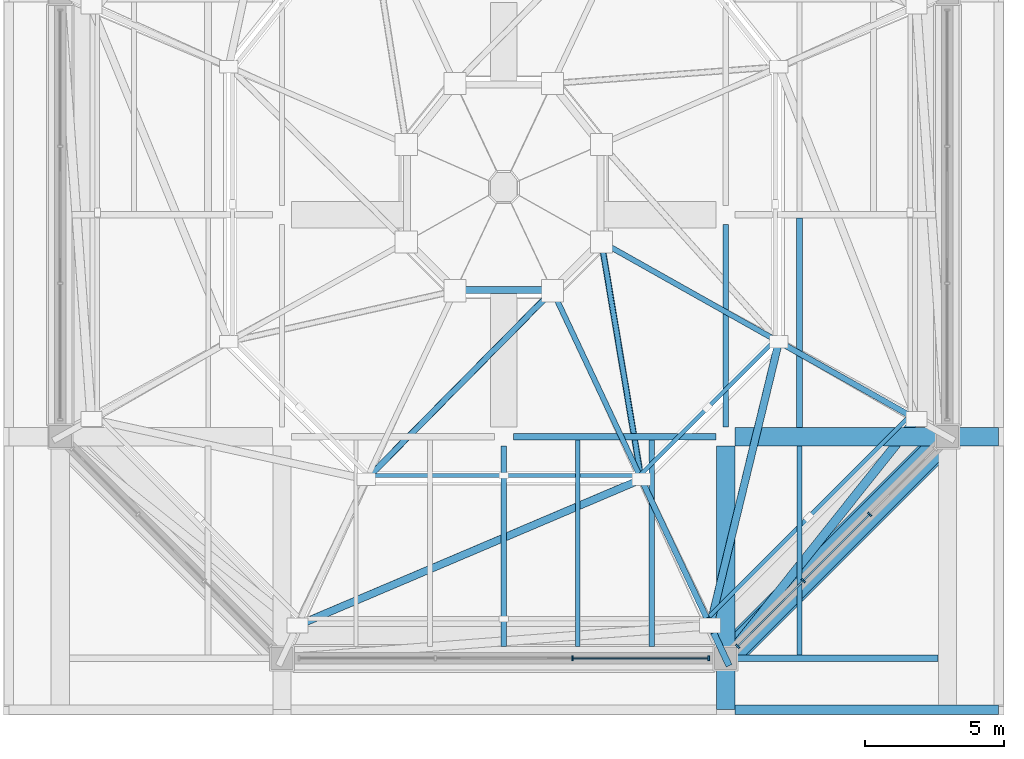
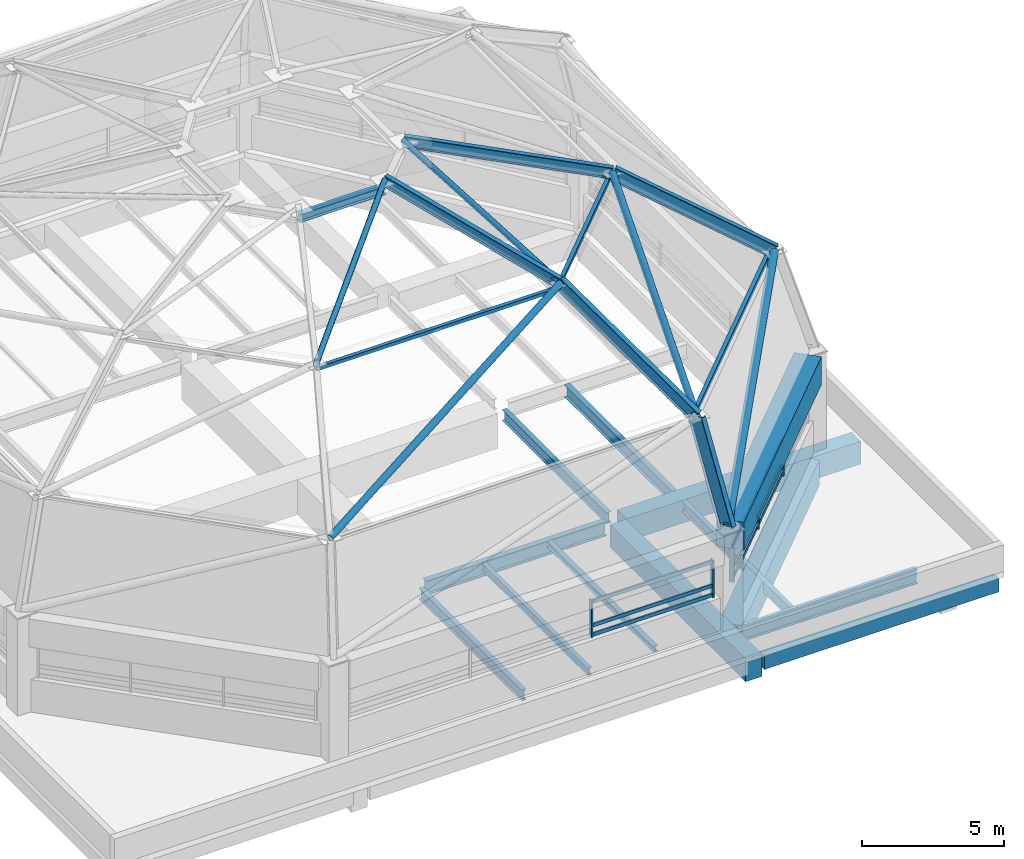
# One storey, part 3 of 10: 27 members, 14 beams, 2 elements without a shape of their own.
"""IFC4 building model written with IfcOpenShell, lengths in metres."""

from ifc_helpers import new_model, si_unit, direction, frame, origin, origin_2d, place, context, subcontext, project, spatial, rectangle, hollow_rectangle, hollow_circle, i_section, extrude, material, material_profile, profile_set, type_object, element, aggregate, save


model = new_model("IFC4")

# Units and contexts
model_context = context("Model", 3, precision=1e-05, world=origin(), true_north=direction((0.0, 1.0)))
body_context = subcontext(model_context, "Body", "Model", "MODEL_VIEW")
ifc_project = project(units=[si_unit("LENGTHUNIT", "METRE"), si_unit("AREAUNIT", "SQUARE_METRE"), si_unit("VOLUMEUNIT", "CUBIC_METRE"), si_unit("PLANEANGLEUNIT", "RADIAN"), si_unit("MASSUNIT", "GRAM", prefix="KILO")], contexts=[model_context])

# Site, building, storey
site_placement = place(None, origin())
site = spatial("IfcSite", under=ifc_project, at=site_placement, CompositionType="ELEMENT")
building_placement = place(site_placement, origin())
building = spatial("IfcBuilding", under=site, at=building_placement, Name="Pecanmere Concourse Central Library", CompositionType="ELEMENT")
storey_placement = place(building_placement, frame((0.0, 0.0, 34.800048828125)))
storey = spatial("IfcBuildingStorey", under=building, at=storey_placement, Name="ROOF", CompositionType="ELEMENT", Elevation=34.800048828125)

# Curtain wall, members
ifc_material_1 = material(Name="Anodized bronze aluminium alloy 6063-T6", Category="aluminium")
curtain_wall_type = type_object("IfcCurtainWallType", Name="CW_PORTAL_CLEAR", PredefinedType="USERDEFINED", material=ifc_material_1)
curtain_wall_1_placement = place(storey_placement, origin())
curtain_wall_1 = element("IfcCurtainWall", 1, at=curtain_wall_1_placement, inside=storey, type_object=curtain_wall_type, Name="Unitised Curtain Wall CW-03 ROOF-173", ObjectType="UNITISED CURTAIN WALL", PredefinedType="USERDEFINED")
ifc_material_2 = material(Name="Anodized bronze aluminium alloy 6063-T6", Category="aluminium")
ifc_material_profile_1 = material_profile(ifc_material_2, rectangle(XDim=0.06494140625, YDim=0.179931640625, at=origin_2d()), Name="AL 65x180")
ifc_profile_set_1 = profile_set([ifc_material_profile_1], Name="Anodized bronze aluminium alloy 6063-T6")
member_type_1 = type_object("IfcMemberType", Name="CWM_180x65", PredefinedType="MULLION", material=ifc_profile_set_1)
member_1_placement = place(storey_placement, frame((90.473388671875, 90.0, 1.419921875), z_axis=(0.0, 0.0, 1.0), x_axis=(1.0, 0.0, 0.0)))
member_1 = element("IfcMember", 2, at=member_1_placement, type_object=member_type_1, Name="CW-03 Mullion 3", PredefinedType="MULLION", context=body_context, shape_type="SweptSolid", body=[
    extrude(rectangle(XDim=0.06494140625, YDim=0.179931640625, at=origin_2d()), origin(), (0.0, 0.0, 1.0), 1.580078125),
])
member_2_placement = place(storey_placement, frame((95.387451171875, 90.0, 1.419921875), z_axis=(0.0, 0.0, 1.0), x_axis=(1.0, 0.0, 0.0)))
member_2 = element("IfcMember", 3, at=member_2_placement, type_object=member_type_1, Name="CW-03 Mullion 4", PredefinedType="MULLION", context=body_context, shape_type="SweptSolid", body=[
    extrude(rectangle(XDim=0.06494140625, YDim=0.179931640625, at=origin_2d()), origin(), (0.0, 0.0, 1.0), 1.580078125),
])

curtain_wall_2_placement = place(storey_placement, origin())
curtain_wall_2 = element("IfcCurtainWall", 4, at=curtain_wall_2_placement, inside=storey, type_object=curtain_wall_type, Name="Unitised Curtain Wall CW-03 ROOF-174", ObjectType="UNITISED CURTAIN WALL", PredefinedType="USERDEFINED")
member_3_placement = place(storey_placement, frame((96.43310546875, 90.43310546875, 1.419921875), z_axis=(0.0, 0.0, 1.0), x_axis=(0.707106781187, 0.707106781187, 0.0)))
member_3 = element("IfcMember", 5, at=member_3_placement, type_object=member_type_1, Name="CW-03 Mullion 1", PredefinedType="MULLION", context=body_context, shape_type="SweptSolid", body=[
    extrude(rectangle(XDim=0.06494140625, YDim=0.179931640625, at=origin_2d()), origin(), (0.0, 0.0, 1.0), 1.580078125),
])
member_4_placement = place(storey_placement, frame((98.803466796875, 92.803466796875, 1.419921875), z_axis=(0.0, 0.0, 1.0), x_axis=(0.707106781187, 0.707106781187, 0.0)))
member_4 = element("IfcMember", 6, at=member_4_placement, type_object=member_type_1, Name="CW-03 Mullion 2", PredefinedType="MULLION", context=body_context, shape_type="SweptSolid", body=[
    extrude(rectangle(XDim=0.06494140625, YDim=0.179931640625, at=origin_2d()), origin(), (0.0, 0.0, 1.0), 1.580078125),
])
member_5_placement = place(storey_placement, frame((101.196533203125, 95.196533203125, 1.419921875), z_axis=(0.0, 0.0, 1.0), x_axis=(0.707106781187, 0.707106781187, 0.0)))
member_5 = element("IfcMember", 7, at=member_5_placement, type_object=member_type_1, Name="CW-03 Mullion 3", PredefinedType="MULLION", context=body_context, shape_type="SweptSolid", body=[
    extrude(rectangle(XDim=0.06494140625, YDim=0.179931640625, at=origin_2d()), origin(), (0.0, 0.0, 1.0), 1.580078125),
])

# Member
ifc_material_3 = material(Name="Anodized bronze aluminium alloy 6063-T6", Category="aluminium")
ifc_material_profile_2 = material_profile(ifc_material_3, rectangle(XDim=0.06005859375, YDim=0.159912109375, at=origin_2d()), Name="AL 60x160")
ifc_profile_set_2 = profile_set([ifc_material_profile_2], Name="Anodized bronze aluminium alloy 6063-T6")
member_type_2 = type_object("IfcMemberType", Name="CWT_160x60", PredefinedType="USERDEFINED", material=ifc_profile_set_2)
member_6_placement = place(storey_placement, frame((90.505859375, 90.0, 1.5), z_axis=(1.0, 0.0, 0.0), x_axis=(0.0, 1.0, 0.0)))
member_6 = element("IfcMember", 8, at=member_6_placement, type_object=member_type_2, Name="CW-03 Transom 3.1", ObjectType="TRANSOM", PredefinedType="USERDEFINED", context=body_context, shape_type="SweptSolid", body=[
    extrude(rectangle(XDim=0.06005859375, YDim=0.159912109375, at=origin_2d()), origin(), (0.0, 0.0, 1.0), 4.84912109375),
])

member_7_placement = place(storey_placement, frame((90.505859375, 90.0, 1.89990234375), z_axis=(1.0, 0.0, 0.0), x_axis=(0.0, 1.0, 0.0)))
member_7 = element("IfcMember", 9, at=member_7_placement, type_object=member_type_2, Name="CW-03 Transom 3.2", ObjectType="TRANSOM", PredefinedType="USERDEFINED", context=body_context, shape_type="SweptSolid", body=[
    extrude(rectangle(XDim=0.06005859375, YDim=0.159912109375, at=origin_2d()), origin(), (0.0, 0.0, 1.0), 4.84912109375),
])

member_8_placement = place(storey_placement, frame((90.505859375, 90.0, 2.919921875), z_axis=(1.0, 0.0, 0.0), x_axis=(0.0, 1.0, 0.0)))
member_8 = element("IfcMember", 10, at=member_8_placement, type_object=member_type_2, Name="CW-03 Transom 3.3", ObjectType="TRANSOM", PredefinedType="USERDEFINED", context=body_context, shape_type="SweptSolid", body=[
    extrude(rectangle(XDim=0.06005859375, YDim=0.159912109375, at=origin_2d()), origin(), (0.0, 0.0, 1.0), 4.84912109375),
])

aggregate(curtain_wall_1, [member_1, member_2, member_6, member_7, member_8])

member_9_placement = place(storey_placement, frame((96.4560546875, 90.4560546875, 1.5), z_axis=(0.707106781187, 0.707106781187, 0.0), x_axis=(-0.707106781187, 0.707106781187, 0.0)))
member_9 = element("IfcMember", 11, at=member_9_placement, type_object=member_type_2, Name="CW-03 Transom 1.1", ObjectType="TRANSOM", PredefinedType="USERDEFINED", context=body_context, shape_type="SweptSolid", body=[
    extrude(rectangle(XDim=0.06005859375, YDim=0.159912109375, at=origin_2d()), origin(), (0.0, 0.0, 1.0), 3.286865234375),
])

member_10_placement = place(storey_placement, frame((96.4560546875, 90.4560546875, 1.89990234375), z_axis=(0.707106781187, 0.707106781187, 0.0), x_axis=(-0.707106781187, 0.707106781187, 0.0)))
member_10 = element("IfcMember", 12, at=member_10_placement, type_object=member_type_2, Name="CW-03 Transom 1.2", ObjectType="TRANSOM", PredefinedType="USERDEFINED", context=body_context, shape_type="SweptSolid", body=[
    extrude(rectangle(XDim=0.06005859375, YDim=0.159912109375, at=origin_2d()), origin(), (0.0, 0.0, 1.0), 3.286865234375),
])

member_11_placement = place(storey_placement, frame((96.4560546875, 90.4560546875, 2.919921875), z_axis=(0.707106781187, 0.707106781187, 0.0), x_axis=(-0.707106781187, 0.707106781187, 0.0)))
member_11 = element("IfcMember", 13, at=member_11_placement, type_object=member_type_2, Name="CW-03 Transom 1.3", ObjectType="TRANSOM", PredefinedType="USERDEFINED", context=body_context, shape_type="SweptSolid", body=[
    extrude(rectangle(XDim=0.06005859375, YDim=0.159912109375, at=origin_2d()), origin(), (0.0, 0.0, 1.0), 3.286865234375),
])

member_12_placement = place(storey_placement, frame((98.826416015625, 92.826416015625, 1.5), z_axis=(0.707106781187, 0.707106781187, 0.0), x_axis=(-0.707106781187, 0.707106781187, 0.0)))
member_12 = element("IfcMember", 14, at=member_12_placement, type_object=member_type_2, Name="CW-03 Transom 2.1", ObjectType="TRANSOM", PredefinedType="USERDEFINED", context=body_context, shape_type="SweptSolid", body=[
    extrude(rectangle(XDim=0.06005859375, YDim=0.159912109375, at=origin_2d()), origin(), (0.0, 0.0, 1.0), 3.3193359375),
])

member_13_placement = place(storey_placement, frame((98.826416015625, 92.826416015625, 1.89990234375), z_axis=(0.707106781187, 0.707106781187, 0.0), x_axis=(-0.707106781187, 0.707106781187, 0.0)))
member_13 = element("IfcMember", 15, at=member_13_placement, type_object=member_type_2, Name="CW-03 Transom 2.2", ObjectType="TRANSOM", PredefinedType="USERDEFINED", context=body_context, shape_type="SweptSolid", body=[
    extrude(rectangle(XDim=0.06005859375, YDim=0.159912109375, at=origin_2d()), origin(), (0.0, 0.0, 1.0), 3.3193359375),
])

member_14_placement = place(storey_placement, frame((98.826416015625, 92.826416015625, 2.919921875), z_axis=(0.707106781187, 0.707106781187, 0.0), x_axis=(-0.707106781187, 0.707106781187, 0.0)))
member_14 = element("IfcMember", 16, at=member_14_placement, type_object=member_type_2, Name="CW-03 Transom 2.3", ObjectType="TRANSOM", PredefinedType="USERDEFINED", context=body_context, shape_type="SweptSolid", body=[
    extrude(rectangle(XDim=0.06005859375, YDim=0.159912109375, at=origin_2d()), origin(), (0.0, 0.0, 1.0), 3.3193359375),
])

aggregate(curtain_wall_2, [member_3, member_4, member_5, member_9, member_10, member_11, member_12, member_13, member_14])

# Beams
ifc_material_4 = material(Name="Concrete C40/50", Category="concrete")
ifc_material_profile_3 = material_profile(ifc_material_4, rectangle(XDim=0.659912109375, YDim=0.97998046875, at=origin_2d()), Name="RC 660x980")
ifc_profile_set_3 = profile_set([ifc_material_profile_3], Name="Concrete C40/50")
beam_type_1 = type_object("IfcBeamType", Name="GRD_660x980", PredefinedType="USERDEFINED", material=ifc_profile_set_3)
for number, where, z_axis, x_axis, name in (
    (17, (96.340087890625, 98.0, -0.72998046875), (1.0, 0.0, 0.0), (0.0, 1.0, 0.0), "Primary Girder X ROOF-2861"),
    (18, (96.0, 88.1484375, -0.72998046875), (0.0, 1.0, 0.0), (-1.0, 0.0, 0.0), "Primary Girder Y ROOF-2880"),
):
    element("IfcBeam", number, at=place(storey_placement, frame(where, z_axis=z_axis, x_axis=x_axis)), inside=storey, type_object=beam_type_1, Name=name, ObjectType="GIRDER", PredefinedType="USERDEFINED", context=body_context, shape_type="SweptSolid", body=[
        extrude(rectangle(XDim=0.659912109375, YDim=0.97998046875, at=origin_2d()), origin(), (0.0, 0.0, 1.0), 9.511474609375),
    ])

# Members
ifc_material_5 = material(Name="Structural steel ASTM A500 Grade C", Category="steel")
ifc_material_profile_4 = material_profile(ifc_material_5, hollow_circle(Radius=0.162109375, WallThickness=0.0126953125, at=origin_2d()), Name="HSS323.9x12.7")
ifc_profile_set_4 = profile_set([ifc_material_profile_4], Name="Structural steel ASTM A500 Grade C")
member_type_3 = type_object("IfcMemberType", Name="MEM_BRACE_1", PredefinedType="BRACE", material=ifc_profile_set_4)
member_15_placement = place(storey_placement, frame((96.0, 90.0, 4.199951171875), z_axis=(0.582607480341, 0.730802314234, 0.355663466441), x_axis=(-0.781929484546, 0.623366891323, 0.0)))
element("IfcMember", 19, at=member_15_placement, inside=storey, type_object=member_type_3, Name="Dome Lower Wind Brace 2", PredefinedType="BRACE", context=body_context, shape_type="SweptSolid", body=[
    extrude(hollow_circle(Radius=0.162109375, WallThickness=0.0126953125, at=origin_2d()), origin(), (0.0, 0.0, 1.0), 11.808837890625),
])
ifc_material_6 = material(Name="Structural steel ASTM A500 Grade C", Category="steel")
ifc_material_profile_5 = material_profile(ifc_material_6, hollow_circle(Radius=0.136474609375, WallThickness=0.0126953125, at=origin_2d()), Name="HSS273.1x12.7")
ifc_profile_set_5 = profile_set([ifc_material_profile_5], Name="Structural steel ASTM A500 Grade C")
member_type_4 = type_object("IfcMemberType", Name="MEM_BRACE_2", PredefinedType="BRACE", material=ifc_profile_set_5)
member_16_placement = place(storey_placement, frame((80.56005859375, 91.18994140625, 8.39990234375), z_axis=(0.892352581092, 0.379254239327, 0.244689789267), x_axis=(-0.391144477353, 0.920329287721, 0.0)))
element("IfcMember", 20, at=member_16_placement, inside=storey, type_object=member_type_4, Name="Dome Upper Wind Brace 1", PredefinedType="BRACE", context=body_context, shape_type="SweptSolid", body=[
    extrude(hollow_circle(Radius=0.136474609375, WallThickness=0.0126953125, at=origin_2d()), origin(), (0.0, 0.0, 1.0), 13.895751953125),
])
member_17_placement = place(storey_placement, frame((95.43994140625, 91.18994140625, 8.39990234375), z_axis=(0.224192863187, 0.924801078287, 0.307376846387), x_axis=(-0.971850427539, 0.235598697984, 0.0)))
element("IfcMember", 21, at=member_17_placement, inside=storey, type_object=member_type_4, Name="Dome Upper Wind Brace 2", PredefinedType="BRACE", context=body_context, shape_type="SweptSolid", body=[
    extrude(hollow_circle(Radius=0.136474609375, WallThickness=0.0126953125, at=origin_2d()), origin(), (0.0, 0.0, 1.0), 11.061767578125),
])
ifc_material_7 = material(Name="Structural steel ASTM A500 Grade C", Category="steel")
ifc_material_profile_6 = material_profile(ifc_material_7, hollow_circle(Radius=0.109619140625, WallThickness=0.009521484375, at=origin_2d()), Name="HSS219.1x9.5")
ifc_profile_set_6 = profile_set([ifc_material_profile_6], Name="Structural steel ASTM A500 Grade C")
member_type_5 = type_object("IfcMemberType", Name="MEM_BRACE_3", PredefinedType="BRACE", material=ifc_profile_set_6)
member_18_placement = place(storey_placement, frame((83.0400390625, 96.4599609375, 11.800048828125), z_axis=(0.695279497279, 0.703564753414, 0.146911736827), x_axis=(-0.711282448756, 0.702906308189, 0.0)))
element("IfcMember", 22, at=member_18_placement, inside=storey, type_object=member_type_5, Name="Dome Oculus Wind Brace 1", PredefinedType="BRACE", context=body_context, shape_type="SweptSolid", body=[
    extrude(hollow_circle(Radius=0.109619140625, WallThickness=0.009521484375, at=origin_2d()), origin(), (0.0, 0.0, 1.0), 9.6650390625),
])
member_19_placement = place(storey_placement, frame((92.9599609375, 96.4599609375, 11.800048828125), z_axis=(-0.163709833057, 0.973210269017, 0.161433772306), x_axis=(-0.986144992553, -0.165885664425, 0.0)))
element("IfcMember", 23, at=member_19_placement, inside=storey, type_object=member_type_5, Name="Dome Oculus Wind Brace 2", PredefinedType="BRACE", context=body_context, shape_type="SweptSolid", body=[
    extrude(hollow_circle(Radius=0.109619140625, WallThickness=0.009521484375, at=origin_2d()), origin(), (0.0, 0.0, 1.0), 8.795654296875),
])
ifc_material_8 = material(Name="Structural steel ASTM A992 Grade 50", Category="steel")
ifc_material_profile_7 = material_profile(ifc_material_8, i_section(OverallWidth=0.22998046875, OverallDepth=0.616943359375, WebThickness=0.01318359375, FlangeThickness=0.022216796875, at=origin_2d()), Name="W610x140")
ifc_profile_set_7 = profile_set([ifc_material_profile_7], Name="Structural steel ASTM A992 Grade 50")
member_type_6 = type_object("IfcMemberType", Name="MEM_DOME_RIB_1", PredefinedType="USERDEFINED", material=ifc_profile_set_7)
member_20_placement = place(storey_placement, frame((96.0, 90.0, 4.199951171875), z_axis=(-0.127255758582, 0.270376882009, 0.954307242759), x_axis=(-0.904793458222, -0.425850675659, 0.0)))
element("IfcMember", 24, at=member_20_placement, inside=storey, type_object=member_type_6, Name="Octagonal Dome Arch Rib 2 Tier 1", ObjectType="ARCH_SEGMENT", PredefinedType="USERDEFINED", context=body_context, shape_type="SweptSolid", body=[
    extrude(i_section(OverallWidth=0.22998046875, OverallDepth=0.616943359375, WebThickness=0.01318359375, FlangeThickness=0.022216796875, at=origin_2d()), origin(), (0.0, 0.0, 1.0), 4.401123046875),
])
ifc_material_9 = material(Name="Structural steel ASTM A992 Grade 50", Category="steel")
ifc_material_profile_8 = material_profile(ifc_material_9, i_section(OverallWidth=0.2109375, OverallDepth=0.5390625, WebThickness=0.01171875, FlangeThickness=0.018798828125, at=origin_2d()), Name="W530x109")
ifc_profile_set_8 = profile_set([ifc_material_profile_8], Name="Structural steel ASTM A992 Grade 50")
member_type_7 = type_object("IfcMemberType", Name="MEM_DOME_RIB_2", PredefinedType="USERDEFINED", material=ifc_profile_set_8)
member_21_placement = place(storey_placement, frame((95.43994140625, 91.18994140625, 8.39990234375), z_axis=(-0.367719788027, 0.781413599563, 0.504157657793), x_axis=(-0.904820602113, -0.425792998993, 0.0)))
element("IfcMember", 25, at=member_21_placement, inside=storey, type_object=member_type_7, Name="Octagonal Dome Arch Rib 2 Tier 2", ObjectType="ARCH_SEGMENT", PredefinedType="USERDEFINED", context=body_context, shape_type="SweptSolid", body=[
    extrude(i_section(OverallWidth=0.2109375, OverallDepth=0.5390625, WebThickness=0.01171875, FlangeThickness=0.018798828125, at=origin_2d()), origin(), (0.0, 0.0, 1.0), 6.744140625),
])
member_22_placement = place(storey_placement, frame((102.8798828125, 98.6298828125, 8.39990234375), z_axis=(-0.748197027611, 0.420870035023, 0.512903130712), x_axis=(-0.490269386928, -0.871570954221, 0.0)))
element("IfcMember", 26, at=member_22_placement, inside=storey, type_object=member_type_7, Name="Octagonal Dome Arch Rib 3 Tier 2", ObjectType="ARCH_SEGMENT", PredefinedType="USERDEFINED", context=body_context, shape_type="SweptSolid", body=[
    extrude(i_section(OverallWidth=0.2109375, OverallDepth=0.5390625, WebThickness=0.01171875, FlangeThickness=0.018798828125, at=origin_2d()), origin(), (0.0, 0.0, 1.0), 6.629150390625),
])
ifc_material_10 = material(Name="Structural steel ASTM A992 Grade 50", Category="steel")
ifc_material_profile_9 = material_profile(ifc_material_10, i_section(OverallWidth=0.194091796875, OverallDepth=0.468994140625, WebThickness=0.0126953125, FlangeThickness=0.0205078125, at=origin_2d()), Name="W460x106")
ifc_profile_set_9 = profile_set([ifc_material_profile_9], Name="Structural steel ASTM A992 Grade 50")
member_type_8 = type_object("IfcMemberType", Name="MEM_DOME_RIB_3", PredefinedType="USERDEFINED", material=ifc_profile_set_9)
member_23_placement = place(storey_placement, frame((92.9599609375, 96.4599609375, 11.800048828125), z_axis=(-0.418387114144, 0.889092568112, 0.185651900195), x_axis=(-0.904822383259, -0.425789213994, 0.0)))
element("IfcMember", 27, at=member_23_placement, inside=storey, type_object=member_type_8, Name="Octagonal Dome Arch Rib 2 Tier 3", ObjectType="ARCH_SEGMENT", PredefinedType="USERDEFINED", context=body_context, shape_type="SweptSolid", body=[
    extrude(i_section(OverallWidth=0.194091796875, OverallDepth=0.468994140625, WebThickness=0.0126953125, FlangeThickness=0.0205078125, at=origin_2d()), origin(), (0.0, 0.0, 1.0), 7.648193359375),
])
member_24_placement = place(storey_placement, frame((97.919921875, 101.419921875, 11.800048828125), z_axis=(-0.855714862753, 0.481360012442, 0.18985418638), x_axis=(-0.490277025018, -0.871566657657, 0.0)))
element("IfcMember", 28, at=member_24_placement, inside=storey, type_object=member_type_8, Name="Octagonal Dome Arch Rib 3 Tier 3", ObjectType="ARCH_SEGMENT", PredefinedType="USERDEFINED", context=body_context, shape_type="SweptSolid", body=[
    extrude(i_section(OverallWidth=0.194091796875, OverallDepth=0.468994140625, WebThickness=0.0126953125, FlangeThickness=0.0205078125, at=origin_2d()), origin(), (0.0, 0.0, 1.0), 7.47900390625),
])
ifc_material_11 = material(Name="Structural steel ASTM A500 Grade C", Category="steel")
ifc_material_profile_10 = material_profile(ifc_material_11, hollow_rectangle(XDim=0.152099609375, YDim=0.202880859375, WallThickness=0.009521484375, at=origin_2d()), Name="HSS203x152x9.5")
ifc_profile_set_10 = profile_set([ifc_material_profile_10], Name="Structural steel ASTM A500 Grade C")
member_type_9 = type_object("IfcMemberType", Name="MEM_PURLIN_1", PredefinedType="PURLIN", material=ifc_profile_set_10)
member_25_placement = place(storey_placement, frame((95.327880859375, 91.427978515625, 8.099853515625), z_axis=(0.707106781187, 0.707106781187, 0.0), x_axis=(-0.707106781187, 0.707106781187, 0.0)))
element("IfcMember", 29, at=member_25_placement, inside=storey, type_object=member_type_9, Name="Dome Octagonal Purlin Ring 1.2", PredefinedType="PURLIN", context=body_context, shape_type="SweptSolid", body=[
    extrude(hollow_rectangle(XDim=0.152099609375, YDim=0.202880859375, WallThickness=0.009521484375, at=origin_2d()), origin(), (0.0, 0.0, 1.0), 10.363525390625),
])
ifc_material_12 = material(Name="Structural steel ASTM A500 Grade C", Category="steel")
ifc_material_profile_11 = material_profile(ifc_material_12, hollow_rectangle(XDim=0.152099609375, YDim=0.152099609375, WallThickness=0.008056640625, at=origin_2d()), Name="HSS152x152x8.0")
ifc_profile_set_11 = profile_set([ifc_material_profile_11], Name="Structural steel ASTM A500 Grade C")
member_type_10 = type_object("IfcMemberType", Name="MEM_PURLIN_4", PredefinedType="PURLIN", material=ifc_profile_set_11)
member_26_placement = place(storey_placement, frame((83.10400390625, 96.595947265625, 11.5), z_axis=(1.0, 0.0, 0.0), x_axis=(0.0, 1.0, 0.0)))
element("IfcMember", 30, at=member_26_placement, inside=storey, type_object=member_type_10, Name="Dome Octagonal Purlin Ring 2.1", PredefinedType="PURLIN", context=body_context, shape_type="SweptSolid", body=[
    extrude(hollow_rectangle(XDim=0.152099609375, YDim=0.152099609375, WallThickness=0.008056640625, at=origin_2d()), origin(), (0.0, 0.0, 1.0), 9.7919921875),
])
member_27_placement = place(storey_placement, frame((92.89599609375, 96.595947265625, 11.5), z_axis=(0.707106781187, 0.707106781187, 0.0), x_axis=(-0.707106781187, 0.707106781187, 0.0)))
element("IfcMember", 31, at=member_27_placement, inside=storey, type_object=member_type_10, Name="Dome Octagonal Purlin Ring 2.2", PredefinedType="PURLIN", context=body_context, shape_type="SweptSolid", body=[
    extrude(hollow_rectangle(XDim=0.152099609375, YDim=0.152099609375, WallThickness=0.008056640625, at=origin_2d()), origin(), (0.0, 0.0, 1.0), 6.924072265625),
])

# Beams
ifc_material_13 = material(Name="Concrete C40/50", Category="concrete")
ifc_material_profile_12 = material_profile(ifc_material_13, rectangle(XDim=1.0, YDim=1.199951171875, at=origin_2d()), Name="RC 1000x1200")
ifc_profile_set_12 = profile_set([ifc_material_profile_12], Name="Concrete C40/50")
beam_type_2 = type_object("IfcBeamType", Name="RB_1000x1200", PredefinedType="BEAM", material=ifc_profile_set_12)
beam_1_placement = place(storey_placement, frame((96.28271484375, 90.28271484375, 3.599853515625), z_axis=(0.707106781187, 0.707106781187, 0.0), x_axis=(-0.707106781187, 0.707106781187, 0.0)))
element("IfcBeam", 32, at=beam_1_placement, inside=storey, type_object=beam_type_2, Name="Dome Tension Ring Beam Segment 2", PredefinedType="BEAM", context=body_context, shape_type="SweptSolid", body=[
    extrude(rectangle(XDim=1.0, YDim=1.199951171875, at=origin_2d()), origin(), (0.0, 0.0, 1.0), 10.51416015625),
])
ifc_material_14 = material(Name="Concrete C40/50", Category="concrete")
ifc_material_profile_13 = material_profile(ifc_material_14, rectangle(XDim=0.85009765625, YDim=1.10009765625, at=origin_2d()), Name="RC 850x1100")
ifc_profile_set_13 = profile_set([ifc_material_profile_13], Name="Concrete C40/50")
beam_type_3 = type_object("IfcBeamType", Name="RB_850x1100", PredefinedType="BEAM", material=ifc_profile_set_13)
beam_2_placement = place(storey_placement, frame((96.28271484375, 90.28271484375, -0.7900390625), z_axis=(0.707106781187, 0.707106781187, 0.0), x_axis=(-0.707106781187, 0.707106781187, 0.0)))
element("IfcBeam", 33, at=beam_2_placement, inside=storey, type_object=beam_type_3, Name="Drum Base Ring Girder Segment 2", PredefinedType="BEAM", context=body_context, shape_type="SweptSolid", body=[
    extrude(rectangle(XDim=0.85009765625, YDim=1.10009765625, at=origin_2d()), origin(), (0.0, 0.0, 1.0), 10.51416015625),
])
ifc_material_15 = material(Name="Structural steel ASTM A992 Grade 50", Category="steel")
ifc_material_profile_14 = material_profile(ifc_material_15, i_section(OverallWidth=0.201904296875, OverallDepth=0.2470703125, WebThickness=0.00732421875, FlangeThickness=0.010986328125, at=origin_2d()), Name="W250x49.1")
ifc_profile_set_14 = profile_set([ifc_material_profile_14], Name="Structural steel ASTM A992 Grade 50")
beam_type_4 = type_object("IfcBeamType", Name="SBM_W250x49", PredefinedType="JOIST", material=ifc_profile_set_14)
beam_3_placement = place(storey_placement, frame((93.333251953125, 90.425048828125, -0.363525390625), z_axis=(0.0, 1.0, 0.0), x_axis=(-1.0, 0.0, 0.0)))
element("IfcBeam", 34, at=beam_3_placement, inside=storey, type_object=beam_type_4, Name="Secondary Floor Joist ROOF-2908", PredefinedType="JOIST", context=body_context, shape_type="SweptSolid", body=[
    extrude(i_section(OverallWidth=0.201904296875, OverallDepth=0.2470703125, WebThickness=0.00732421875, FlangeThickness=0.010986328125, at=origin_2d()), origin(), (0.0, 0.0, 1.0), 7.4599609375),
])
ifc_material_16 = material(Name="Structural steel ASTM A992 Grade 50", Category="steel")
ifc_material_profile_15 = material_profile(ifc_material_16, i_section(OverallWidth=0.1669921875, OverallDepth=0.31689453125, WebThickness=0.007568359375, FlangeThickness=0.01318359375, at=origin_2d()), Name="W310x52")
ifc_profile_set_15 = profile_set([ifc_material_profile_15], Name="Structural steel ASTM A992 Grade 50")
beam_type_5 = type_object("IfcBeamType", Name="SBM_W310x52", PredefinedType="JOIST", material=ifc_profile_set_15)
beam_4_placement = place(storey_placement, frame((90.666748046875, 90.425048828125, -0.3984375), z_axis=(0.0, 1.0, 0.0), x_axis=(-1.0, 0.0, 0.0)))
element("IfcBeam", 35, at=beam_4_placement, inside=storey, type_object=beam_type_5, Name="Secondary Floor Joist ROOF-2907", PredefinedType="JOIST", context=body_context, shape_type="SweptSolid", body=[
    extrude(i_section(OverallWidth=0.1669921875, OverallDepth=0.31689453125, WebThickness=0.007568359375, FlangeThickness=0.01318359375, at=origin_2d()), origin(), (0.0, 0.0, 1.0), 7.4599609375),
])
ifc_material_17 = material(Name="Structural steel ASTM A992 Grade 50", Category="steel")
ifc_material_profile_16 = material_profile(ifc_material_17, i_section(OverallWidth=0.25390625, OverallDepth=0.35302734375, WebThickness=0.009521484375, FlangeThickness=0.016357421875, at=origin_2d()), Name="W360x91")
ifc_profile_set_16 = profile_set([ifc_material_profile_16], Name="Structural steel ASTM A992 Grade 50")
beam_type_6 = type_object("IfcBeamType", Name="SBM_W360x91", PredefinedType="BEAM", material=ifc_profile_set_16)
beam_5_placement = place(storey_placement, frame((86.256103515625, 103.2939453125, 12.820068359375), z_axis=(1.0, 0.0, 0.0), x_axis=(0.0, 1.0, 0.0)))
element("IfcBeam", 36, at=beam_5_placement, inside=storey, type_object=beam_type_6, Name="Dome Oculus Compression Ring 1", PredefinedType="BEAM", context=body_context, shape_type="SweptSolid", body=[
    extrude(i_section(OverallWidth=0.25390625, OverallDepth=0.35302734375, WebThickness=0.009521484375, FlangeThickness=0.016357421875, at=origin_2d()), origin(), (0.0, 0.0, 1.0), 3.48779296875),
])
ifc_material_18 = material(Name="Structural steel ASTM A992 Grade 50", Category="steel")
ifc_material_profile_17 = material_profile(ifc_material_18, i_section(OverallWidth=0.194091796875, OverallDepth=0.468994140625, WebThickness=0.0126953125, FlangeThickness=0.0205078125, at=origin_2d()), Name="W460x106")
ifc_profile_set_17 = profile_set([ifc_material_profile_17], Name="Structural steel ASTM A992 Grade 50")
beam_type_7 = type_object("IfcBeamType", Name="SBM_W460x106", PredefinedType="USERDEFINED", material=ifc_profile_set_17)
beam_6_placement = place(storey_placement, frame((88.0, 90.425048828125, -0.474609375), z_axis=(0.0, 1.0, 0.0), x_axis=(-1.0, 0.0, 0.0)))
element("IfcBeam", 37, at=beam_6_placement, inside=storey, type_object=beam_type_7, Name="Primary Girder Y ROOF-2877", ObjectType="GIRDER", PredefinedType="USERDEFINED", context=body_context, shape_type="SweptSolid", body=[
    extrude(i_section(OverallWidth=0.194091796875, OverallDepth=0.468994140625, WebThickness=0.0126953125, FlangeThickness=0.0205078125, at=origin_2d()), origin(), (0.0, 0.0, 1.0), 7.23486328125),
])
beam_7_placement = place(storey_placement, frame((96.0, 98.340087890625, -0.474609375), z_axis=(0.0, 1.0, 0.0), x_axis=(-1.0, 0.0, 0.0)))
element("IfcBeam", 38, at=beam_7_placement, inside=storey, type_object=beam_type_7, Name="Primary Girder Y ROOF-2881", ObjectType="GIRDER", PredefinedType="USERDEFINED", context=body_context, shape_type="SweptSolid", body=[
    extrude(i_section(OverallWidth=0.194091796875, OverallDepth=0.468994140625, WebThickness=0.0126953125, FlangeThickness=0.0205078125, at=origin_2d()), origin(), (0.0, 0.0, 1.0), 7.31982421875),
])
ifc_material_19 = material(Name="Structural steel ASTM A992 Grade 50", Category="steel")
ifc_material_profile_18 = material_profile(ifc_material_19, i_section(OverallWidth=0.18994140625, OverallDepth=0.45703125, WebThickness=0.009033203125, FlangeThickness=0.014404296875, at=origin_2d()), Name="W460x74")
ifc_profile_set_18 = profile_set([ifc_material_profile_18], Name="Structural steel ASTM A992 Grade 50")
beam_type_8 = type_object("IfcBeamType", Name="SBM_W460x74", PredefinedType="BEAM", material=ifc_profile_set_18)
beam_8_placement = place(storey_placement, frame((98.666748046875, 90.114990234375, -0.468505859375), z_axis=(0.0, 1.0, 0.0), x_axis=(-1.0, 0.0, 0.0)))
element("IfcBeam", 39, at=beam_8_placement, inside=storey, type_object=beam_type_8, Name="Secondary Floor Joist ROOF-2911", PredefinedType="BEAM", context=body_context, shape_type="SweptSolid", body=[
    extrude(i_section(OverallWidth=0.18994140625, OverallDepth=0.45703125, WebThickness=0.009033203125, FlangeThickness=0.014404296875, at=origin_2d()), origin(), (0.0, 0.0, 1.0), 7.554931640625),
])
ifc_material_20 = material(Name="Structural steel ASTM A992 Grade 50", Category="steel")
ifc_material_profile_19 = material_profile(ifc_material_20, i_section(OverallWidth=0.208984375, OverallDepth=0.532958984375, WebThickness=0.01025390625, FlangeThickness=0.015625, at=origin_2d()), Name="W530x92")
ifc_profile_set_19 = profile_set([ifc_material_profile_19], Name="Structural steel ASTM A992 Grade 50")
beam_type_9 = type_object("IfcBeamType", Name="SBM_W530x92", PredefinedType="BEAM", material=ifc_profile_set_19)
beam_9_placement = place(storey_placement, frame((98.666748046875, 98.330078125, -0.506591796875), z_axis=(0.0, 1.0, 0.0), x_axis=(-1.0, 0.0, 0.0)))
element("IfcBeam", 40, at=beam_9_placement, inside=storey, type_object=beam_type_9, Name="Secondary Floor Joist ROOF-2912", PredefinedType="BEAM", context=body_context, shape_type="SweptSolid", body=[
    extrude(i_section(OverallWidth=0.208984375, OverallDepth=0.532958984375, WebThickness=0.01025390625, FlangeThickness=0.015625, at=origin_2d()), origin(), (0.0, 0.0, 1.0), 7.554931640625),
])
ifc_material_21 = material(Name="Structural steel ASTM A992 Grade 50", Category="steel")
ifc_material_profile_20 = material_profile(ifc_material_21, i_section(OverallWidth=0.22998046875, OverallDepth=0.616943359375, WebThickness=0.01318359375, FlangeThickness=0.022216796875, at=origin_2d()), Name="W610x140")
ifc_profile_set_20 = profile_set([ifc_material_profile_20], Name="Structural steel ASTM A992 Grade 50")
beam_type_10 = type_object("IfcBeamType", Name="SBM_W610x140", PredefinedType="USERDEFINED", material=ifc_profile_set_20)
beam_10_placement = place(storey_placement, frame((96.39990234375, 90.0, -0.548583984375), z_axis=(1.0, 0.0, 0.0), x_axis=(0.0, 1.0, 0.0)))
element("IfcBeam", 41, at=beam_10_placement, inside=storey, type_object=beam_type_10, Name="Primary Girder X ROOF-2857", ObjectType="GIRDER", PredefinedType="USERDEFINED", context=body_context, shape_type="SweptSolid", body=[
    extrude(i_section(OverallWidth=0.22998046875, OverallDepth=0.616943359375, WebThickness=0.01318359375, FlangeThickness=0.022216796875, at=origin_2d()), origin(), (0.0, 0.0, 1.0), 7.260009765625),
])
beam_11_placement = place(storey_placement, frame((88.340087890625, 98.0, -0.548583984375), z_axis=(1.0, 0.0, 0.0), x_axis=(0.0, 1.0, 0.0)))
element("IfcBeam", 42, at=beam_11_placement, inside=storey, type_object=beam_type_10, Name="Primary Girder X ROOF-2860", ObjectType="GIRDER", PredefinedType="USERDEFINED", context=body_context, shape_type="SweptSolid", body=[
    extrude(i_section(OverallWidth=0.22998046875, OverallDepth=0.616943359375, WebThickness=0.01318359375, FlangeThickness=0.022216796875, at=origin_2d()), origin(), (0.0, 0.0, 1.0), 7.31982421875),
])
ifc_material_22 = material(Name="Concrete C40/50", Category="concrete")
ifc_material_profile_21 = material_profile(ifc_material_22, rectangle(XDim=0.340087890625, YDim=0.580078125, at=origin_2d()), Name="RC 340x580")
ifc_profile_set_21 = profile_set([ifc_material_profile_21], Name="Concrete C40/50")
beam_type_11 = type_object("IfcBeamType", Name="SPB_340x580", PredefinedType="BEAM", material=ifc_profile_set_21)
beam_12_placement = place(storey_placement, frame((96.330078125, 88.1484375, -0.530029296875), z_axis=(1.0, 0.0, 0.0), x_axis=(0.0, 1.0, 0.0)))
element("IfcBeam", 43, at=beam_12_placement, inside=storey, type_object=beam_type_11, Name="Leaning Facade Edge Beam ROOF-2888", PredefinedType="BEAM", context=body_context, shape_type="SweptSolid", body=[
    extrude(rectangle(XDim=0.340087890625, YDim=0.580078125, at=origin_2d()), origin(), (0.0, 0.0, 1.0), 9.521484375),
])

save(model, "model.ifc")
